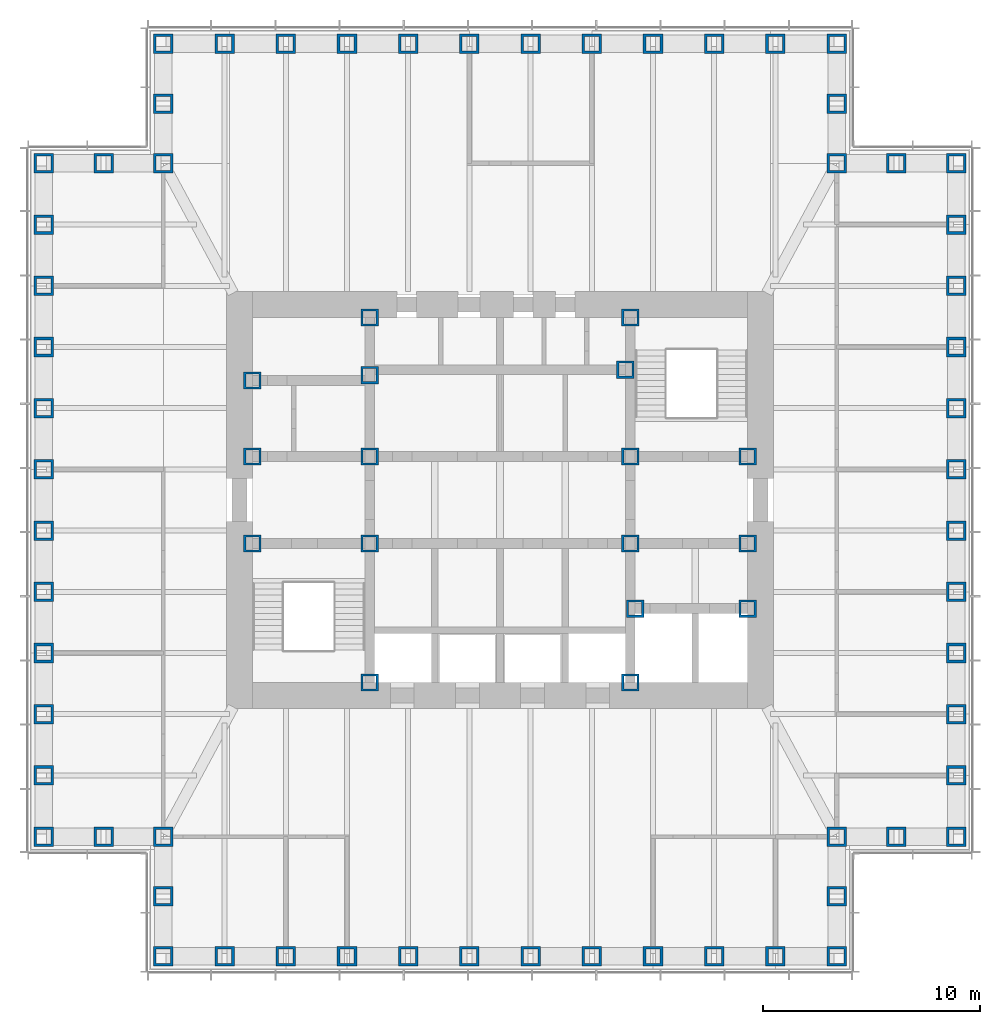
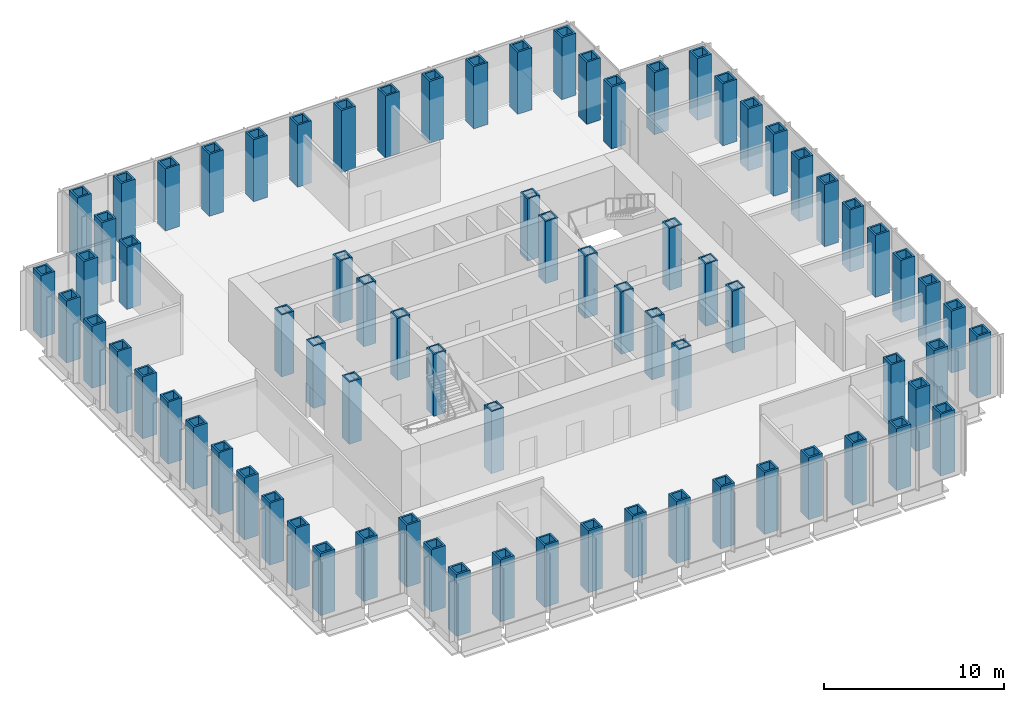
# One storey, part 1 of 16: 77 columns.
"""IFC4 building model written with IfcOpenShell, lengths in metres."""

from ifc_helpers import new_model, si_unit, direction, frame, origin, origin_2d, place, context, subcontext, project, spatial, hollow_rectangle, extrude, material, material_profile, profile_set, type_object, element, save


model = new_model("IFC4")

# Units and contexts
model_context = context("Model", 3, precision=1e-05, world=origin(), true_north=direction((0.0, 1.0)))
body_context = subcontext(model_context, "Body", "Model", "MODEL_VIEW")
ifc_project = project(units=[si_unit("LENGTHUNIT", "METRE"), si_unit("AREAUNIT", "SQUARE_METRE"), si_unit("VOLUMEUNIT", "CUBIC_METRE"), si_unit("PLANEANGLEUNIT", "RADIAN"), si_unit("MASSUNIT", "GRAM", prefix="KILO")], contexts=[model_context])

# Site, building, storey
site_placement = place(None, origin())
site = spatial("IfcSite", under=ifc_project, at=site_placement, CompositionType="ELEMENT")
building_placement = place(site_placement, origin())
building = spatial("IfcBuilding", under=site, at=building_placement, Name="Daluyong Arena Tower", CompositionType="ELEMENT")
storey_placement = place(building_placement, frame((0.0, 0.0, 202.300048828125)))
storey = spatial("IfcBuildingStorey", under=building, at=storey_placement, Name="L45", CompositionType="ELEMENT", Elevation=202.300048828125)

# Columns
ifc_material_1 = material(Name="Steel ASTM A572 Grade 50", Category="steel")
ifc_material_profile_1 = material_profile(ifc_material_1, hollow_rectangle(XDim=0.800048828125, YDim=0.800048828125, WallThickness=0.1, at=origin_2d()))
ifc_profile_set_1 = profile_set([ifc_material_profile_1], Name="Steel ASTM A572 Grade 50")
column_type_1 = type_object("IfcColumnType", Name="Core boundary column BX800X100", PredefinedType="COLUMN", material=ifc_profile_set_1)
for number, where, z_axis, x_axis, name in (
    (1, (44.60009765625, 78.0, 0.0), (0.0, 0.0, 1.0), (1.0, 0.0, 0.0), "core boundary column BC2"),
    (2, (44.60009765625, 82.0, 0.0), (0.0, 0.0, 1.0), (1.0, 0.0, 0.0), "core boundary column BC2"),
    (3, (44.60009765625, 85.5, 0.0), (0.0, 0.0, 1.0), (1.0, 0.0, 0.0), "core boundary column BC2"),
    (4, (50.0, 71.60009765625, 0.0), (0.0, 0.0, 1.0), (1.0, 0.0, 0.0), "core boundary column BC2"),
    (5, (50.0, 78.0, 0.0), (0.0, 0.0, 1.0), (1.0, 0.0, 0.0), "core boundary column BC2"),
    (6, (50.0, 82.0, 0.0), (0.0, 0.0, 1.0), (1.0, 0.0, 0.0), "core boundary column BC2"),
    (7, (50.0, 85.75, 0.0), (0.0, 0.0, 1.0), (1.0, 0.0, 0.0), "core boundary column BC2"),
    (8, (50.0, 88.39990234375, 0.0), (0.0, 0.0, 1.0), (1.0, 0.0, 0.0), "core boundary column BC2"),
    (9, (61.77490234375, 86.0, 0.0), (0.0, 0.0, 1.0), (1.0, 0.0, 0.0), "core boundary column BC2"),
    (10, (62.0, 71.60009765625, 0.0), (0.0, 0.0, 1.0), (1.0, 0.0, 0.0), "core boundary column BC2"),
    (11, (62.0, 78.0, 0.0), (0.0, 0.0, 1.0), (1.0, 0.0, 0.0), "core boundary column BC2"),
    (12, (62.0, 82.0, 0.0), (0.0, 0.0, 1.0), (1.0, 0.0, 0.0), "core boundary column BC2"),
    (13, (62.0, 88.39990234375, 0.0), (0.0, 0.0, 1.0), (1.0, 0.0, 0.0), "core boundary column BC2"),
    (14, (62.22509765625, 75.0, 0.0), (0.0, 0.0, 1.0), (1.0, 0.0, 0.0), "core boundary column BC2"),
    (15, (67.39990234375, 75.0, 0.0), (0.0, 0.0, 1.0), (1.0, 0.0, 0.0), "core boundary column BC2"),
    (16, (67.39990234375, 78.0, 0.0), (0.0, 0.0, 1.0), (1.0, 0.0, 0.0), "core boundary column BC2"),
    (17, (67.39990234375, 82.0, 0.0), (0.0, 0.0, 1.0), (1.0, 0.0, 0.0), "core boundary column BC2"),
):
    element("IfcColumn", number, at=place(storey_placement, frame(where, z_axis=z_axis, x_axis=x_axis)), inside=storey, type_object=column_type_1, Name=name, PredefinedType="COLUMN", context=body_context, shape_type="SweptSolid", body=[
        extrude(hollow_rectangle(XDim=0.800048828125, YDim=0.800048828125, WallThickness=0.1, at=origin_2d()), origin(), (0.0, 0.0, 1.0), 4.199951171875),
    ])
ifc_material_2 = material(Name="Steel ASTM A588 Grade 50", Category="steel")
ifc_material_profile_2 = material_profile(ifc_material_2, hollow_rectangle(XDim=0.89990234375, YDim=0.89990234375, WallThickness=0.12, at=origin_2d()))
ifc_profile_set_2 = profile_set([ifc_material_profile_2], Name="Steel ASTM A588 Grade 50")
column_type_2 = type_object("IfcColumnType", Name="Tube column BX900X120 BX900X120", PredefinedType="COLUMN", material=ifc_profile_set_2)
for number, where, z_axis, x_axis, name in (
    (18, (40.5, 59.0, 0.0), (0.0, 0.0, 1.0), (1.0, 0.0, 0.0), "tube column bx900x120 TC4"),
    (19, (43.318115234375, 59.0, 0.0), (0.0, 0.0, 1.0), (1.0, 0.0, 0.0), "tube column bx900x120 TC4"),
    (20, (46.136474609375, 59.0, 0.0), (0.0, 0.0, 1.0), (1.0, 0.0, 0.0), "tube column bx900x120 TC4"),
    (21, (48.95458984375, 59.0, 0.0), (0.0, 0.0, 1.0), (1.0, 0.0, 0.0), "tube column bx900x120 TC4"),
    (22, (51.772705078125, 59.0, 0.0), (0.0, 0.0, 1.0), (1.0, 0.0, 0.0), "tube column bx900x120 TC4"),
    (23, (54.5908203125, 59.0, 0.0), (0.0, 0.0, 1.0), (1.0, 0.0, 0.0), "tube column bx900x120 TC4"),
    (24, (57.4091796875, 59.0, 0.0), (0.0, 0.0, 1.0), (1.0, 0.0, 0.0), "tube column bx900x120 TC4"),
    (25, (60.227294921875, 59.0, 0.0), (0.0, 0.0, 1.0), (1.0, 0.0, 0.0), "tube column bx900x120 TC4"),
    (26, (63.04541015625, 59.0, 0.0), (0.0, 0.0, 1.0), (1.0, 0.0, 0.0), "tube column bx900x120 TC4"),
    (27, (65.863525390625, 59.0, 0.0), (0.0, 0.0, 1.0), (1.0, 0.0, 0.0), "tube column bx900x120 TC4"),
    (28, (68.681884765625, 59.0, 0.0), (0.0, 0.0, 1.0), (1.0, 0.0, 0.0), "tube column bx900x120 TC4"),
    (29, (71.5, 59.0, 0.0), (0.0, 0.0, 1.0), (0.0, 1.0, 0.0), "tube column bx900x120 TC4"),
    (30, (71.5, 61.75, 0.0), (0.0, 0.0, 1.0), (0.0, 1.0, 0.0), "tube column bx900x120 TC4"),
    (31, (71.5, 64.5, 0.0), (0.0, 0.0, 1.0), (1.0, 0.0, 0.0), "tube column bx900x120 TC4"),
    (32, (74.25, 64.5, 0.0), (0.0, 0.0, 1.0), (1.0, 0.0, 0.0), "tube column bx900x120 TC4"),
    (33, (77.0, 64.5, 0.0), (0.0, 0.0, 1.0), (0.0, 1.0, 0.0), "tube column bx900x120 TC4"),
    (34, (77.0, 67.318115234375, 0.0), (0.0, 0.0, 1.0), (0.0, 1.0, 0.0), "tube column bx900x120 TC4"),
    (35, (77.0, 70.136474609375, 0.0), (0.0, 0.0, 1.0), (0.0, 1.0, 0.0), "tube column bx900x120 TC4"),
    (36, (77.0, 72.95458984375, 0.0), (0.0, 0.0, 1.0), (0.0, 1.0, 0.0), "tube column bx900x120 TC4"),
    (37, (77.0, 75.772705078125, 0.0), (0.0, 0.0, 1.0), (0.0, 1.0, 0.0), "tube column bx900x120 TC4"),
    (38, (77.0, 78.5908203125, 0.0), (0.0, 0.0, 1.0), (0.0, 1.0, 0.0), "tube column bx900x120 TC4"),
    (39, (77.0, 81.4091796875, 0.0), (0.0, 0.0, 1.0), (0.0, 1.0, 0.0), "tube column bx900x120 TC4"),
    (40, (77.0, 84.227294921875, 0.0), (0.0, 0.0, 1.0), (0.0, 1.0, 0.0), "tube column bx900x120 TC4"),
    (41, (77.0, 87.04541015625, 0.0), (0.0, 0.0, 1.0), (0.0, 1.0, 0.0), "tube column bx900x120 TC4"),
    (42, (77.0, 89.863525390625, 0.0), (0.0, 0.0, 1.0), (0.0, 1.0, 0.0), "tube column bx900x120 TC4"),
    (43, (77.0, 92.681884765625, 0.0), (0.0, 0.0, 1.0), (0.0, 1.0, 0.0), "tube column bx900x120 TC4"),
    (44, (77.0, 95.5, 0.0), (0.0, 0.0, 1.0), (1.0, 0.0, 0.0), "tube column bx900x120 TC4"),
    (45, (74.25, 95.5, 0.0), (0.0, 0.0, 1.0), (1.0, 0.0, 0.0), "tube column bx900x120 TC4"),
    (46, (71.5, 95.5, 0.0), (0.0, 0.0, 1.0), (0.0, 1.0, 0.0), "tube column bx900x120 TC4"),
    (47, (71.5, 98.25, 0.0), (0.0, 0.0, 1.0), (0.0, 1.0, 0.0), "tube column bx900x120 TC4"),
    (48, (71.5, 101.0, 0.0), (0.0, 0.0, 1.0), (1.0, 0.0, 0.0), "tube column bx900x120 TC4"),
    (49, (68.681884765625, 101.0, 0.0), (0.0, 0.0, 1.0), (1.0, 0.0, 0.0), "tube column bx900x120 TC4"),
    (50, (65.863525390625, 101.0, 0.0), (0.0, 0.0, 1.0), (1.0, 0.0, 0.0), "tube column bx900x120 TC4"),
    (51, (63.04541015625, 101.0, 0.0), (0.0, 0.0, 1.0), (1.0, 0.0, 0.0), "tube column bx900x120 TC4"),
    (52, (60.227294921875, 101.0, 0.0), (0.0, 0.0, 1.0), (1.0, 0.0, 0.0), "tube column bx900x120 TC4"),
    (53, (57.4091796875, 101.0, 0.0), (0.0, 0.0, 1.0), (1.0, 0.0, 0.0), "tube column bx900x120 TC4"),
    (54, (54.5908203125, 101.0, 0.0), (0.0, 0.0, 1.0), (1.0, 0.0, 0.0), "tube column bx900x120 TC4"),
    (55, (51.772705078125, 101.0, 0.0), (0.0, 0.0, 1.0), (1.0, 0.0, 0.0), "tube column bx900x120 TC4"),
    (56, (48.95458984375, 101.0, 0.0), (0.0, 0.0, 1.0), (1.0, 0.0, 0.0), "tube column bx900x120 TC4"),
    (57, (46.136474609375, 101.0, 0.0), (0.0, 0.0, 1.0), (1.0, 0.0, 0.0), "tube column bx900x120 TC4"),
    (58, (43.318115234375, 101.0, 0.0), (0.0, 0.0, 1.0), (1.0, 0.0, 0.0), "tube column bx900x120 TC4"),
    (59, (40.5, 101.0, 0.0), (0.0, 0.0, 1.0), (0.0, 1.0, 0.0), "tube column bx900x120 TC4"),
    (60, (40.5, 98.25, 0.0), (0.0, 0.0, 1.0), (0.0, 1.0, 0.0), "tube column bx900x120 TC4"),
    (61, (40.5, 95.5, 0.0), (0.0, 0.0, 1.0), (1.0, 0.0, 0.0), "tube column bx900x120 TC4"),
    (62, (37.75, 95.5, 0.0), (0.0, 0.0, 1.0), (1.0, 0.0, 0.0), "tube column bx900x120 TC4"),
    (63, (35.0, 95.5, 0.0), (0.0, 0.0, 1.0), (0.0, 1.0, 0.0), "tube column bx900x120 TC4"),
    (64, (35.0, 92.681884765625, 0.0), (0.0, 0.0, 1.0), (0.0, 1.0, 0.0), "tube column bx900x120 TC4"),
    (65, (35.0, 89.863525390625, 0.0), (0.0, 0.0, 1.0), (0.0, 1.0, 0.0), "tube column bx900x120 TC4"),
    (66, (35.0, 87.04541015625, 0.0), (0.0, 0.0, 1.0), (0.0, 1.0, 0.0), "tube column bx900x120 TC4"),
    (67, (35.0, 84.227294921875, 0.0), (0.0, 0.0, 1.0), (0.0, 1.0, 0.0), "tube column bx900x120 TC4"),
    (68, (35.0, 81.4091796875, 0.0), (0.0, 0.0, 1.0), (0.0, 1.0, 0.0), "tube column bx900x120 TC4"),
    (69, (35.0, 78.5908203125, 0.0), (0.0, 0.0, 1.0), (0.0, 1.0, 0.0), "tube column bx900x120 TC4"),
    (70, (35.0, 75.772705078125, 0.0), (0.0, 0.0, 1.0), (0.0, 1.0, 0.0), "tube column bx900x120 TC4"),
    (71, (35.0, 72.95458984375, 0.0), (0.0, 0.0, 1.0), (0.0, 1.0, 0.0), "tube column bx900x120 TC4"),
    (72, (35.0, 70.136474609375, 0.0), (0.0, 0.0, 1.0), (0.0, 1.0, 0.0), "tube column bx900x120 TC4"),
    (73, (35.0, 67.318115234375, 0.0), (0.0, 0.0, 1.0), (0.0, 1.0, 0.0), "tube column bx900x120 TC4"),
    (74, (35.0, 64.5, 0.0), (0.0, 0.0, 1.0), (1.0, 0.0, 0.0), "tube column bx900x120 TC4"),
    (75, (37.75, 64.5, 0.0), (0.0, 0.0, 1.0), (1.0, 0.0, 0.0), "tube column bx900x120 TC4"),
    (76, (40.5, 64.5, 0.0), (0.0, 0.0, 1.0), (0.0, 1.0, 0.0), "tube column bx900x120 TC4"),
    (77, (40.5, 61.75, 0.0), (0.0, 0.0, 1.0), (0.0, 1.0, 0.0), "tube column bx900x120 TC4"),
):
    element("IfcColumn", number, at=place(storey_placement, frame(where, z_axis=z_axis, x_axis=x_axis)), inside=storey, type_object=column_type_2, Name=name, PredefinedType="COLUMN", context=body_context, shape_type="SweptSolid", body=[
        extrude(hollow_rectangle(XDim=0.89990234375, YDim=0.89990234375, WallThickness=0.12, at=origin_2d()), origin(), (0.0, 0.0, 1.0), 4.199951171875),
    ])

save(model, "model.ifc")
